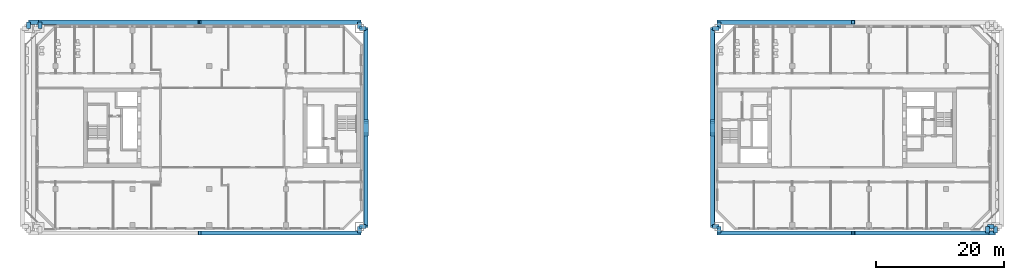
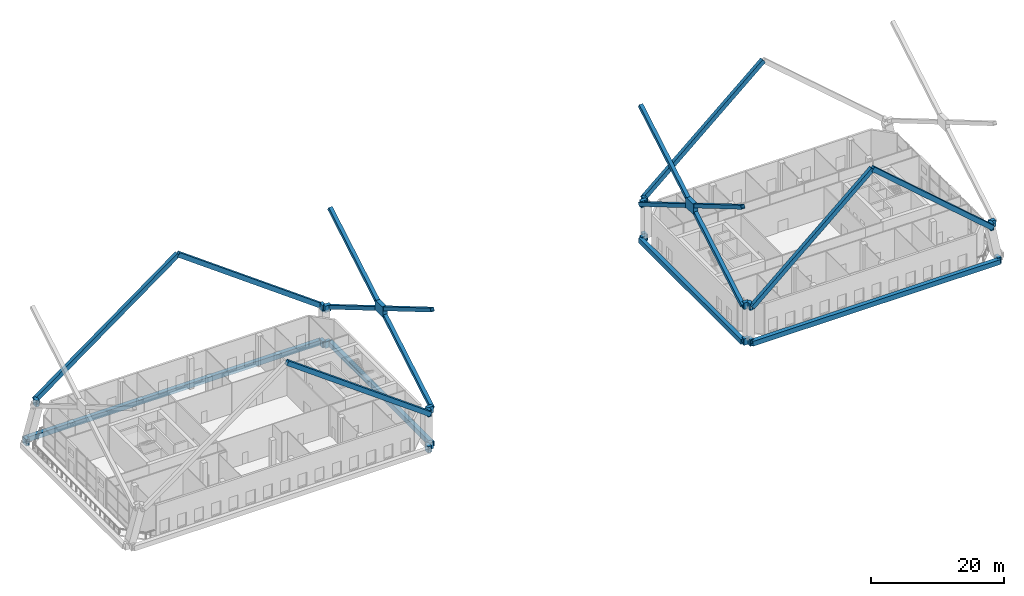
# One storey, part 5 of 20: 25 beams, 16 members.
"""IFC4 building model written with IfcOpenShell, lengths in metres."""

from ifc_helpers import new_model, si_unit, direction, frame, origin, origin_2d, place, context, subcontext, project, spatial, rectangle, hollow_rectangle, extrude, material, material_profile, profile_set, type_object, element, save


model = new_model("IFC4")

# Units and contexts
model_context = context("Model", 3, precision=1e-05, world=origin(), true_north=direction((0.0, 1.0)))
body_context = subcontext(model_context, "Body", "Model", "MODEL_VIEW")
ifc_project = project(units=[si_unit("LENGTHUNIT", "METRE"), si_unit("AREAUNIT", "SQUARE_METRE"), si_unit("VOLUMEUNIT", "CUBIC_METRE"), si_unit("PLANEANGLEUNIT", "RADIAN"), si_unit("MASSUNIT", "GRAM", prefix="KILO")], contexts=[model_context])

# Site, building, storey
site_placement = place(None, origin())
site = spatial("IfcSite", under=ifc_project, at=site_placement, CompositionType="ELEMENT")
building_placement = place(site_placement, origin())
building = spatial("IfcBuilding", under=site, at=building_placement, Name="Tuart Gate Housing", CompositionType="ELEMENT")
storey_placement = place(building_placement, frame((0.0, 0.0, 90.199951171875)))
storey = spatial("IfcBuildingStorey", under=building, at=storey_placement, Name="L25", CompositionType="ELEMENT", Elevation=90.199951171875)

# Members
ifc_material_1 = material(Name="Steel Grade 350", Category="steel")
ifc_material_profile_1 = material_profile(ifc_material_1, rectangle(XDim=2.537109375, YDim=1.864013671875, at=origin_2d()), Name="Brace node plate 2537 x 1864")
ifc_profile_set_1 = profile_set([ifc_material_profile_1], Name="Steel Grade 350")
member_type_1 = type_object("IfcMemberType", Name="Brace node plate 2537 x 1864", PredefinedType="PLATE", material=ifc_profile_set_1)
for number, where, z_axis, x_axis, name in (
    (1, (76.08203125, 70.0, 15.300048828125), (1.0, 0.0, 0.0), (0.0, 1.0, 0.0), "Brace node A zone 4 east"),
    (2, (130.181884765625, 70.0, 15.300048828125), (1.0, 0.0, 0.0), (0.0, 1.0, 0.0), "Brace node B zone 4 west"),
):
    element("IfcMember", number, at=place(storey_placement, frame(where, z_axis=z_axis, x_axis=x_axis)), inside=storey, type_object=member_type_1, Name=name, PredefinedType="PLATE", context=body_context, shape_type="SweptSolid", body=[
        extrude(rectangle(XDim=2.537109375, YDim=1.864013671875, at=origin_2d()), origin(), (0.0, 0.0, 1.0), 0.736083984375),
    ])

# Beams
ifc_material_2 = material(Name="Steel Grade 350", Category="steel")
ifc_material_profile_2 = material_profile(ifc_material_2, hollow_rectangle(XDim=0.60009765625, YDim=1.199951171875, WallThickness=0.0400390625, at=origin_2d()), Name="BOX 1200x600x40")
ifc_profile_set_2 = profile_set([ifc_material_profile_2], Name="Steel Grade 350")
beam_type_1 = type_object("IfcBeamType", Name="Brace shoe BOX 1200x600x40", PredefinedType="BEAM", material=ifc_profile_set_2)
for number, where, z_axis, x_axis, name in (
    (3, (75.449951171875, 54.550048828125, -0.39990234375), (0.0, -1.0, 0.0), (1.0, 0.0, 0.0), "Mega tie beam A node 3 south shoe 1 L25"),
    (4, (23.800048828125, 85.449951171875, -0.39990234375), (0.0, 1.0, 0.0), (-1.0, 0.0, 0.0), "Mega tie beam A node 3 north shoe 0 L25"),
    (5, (75.449951171875, 85.449951171875, -0.39990234375), (0.0, 1.0, 0.0), (-1.0, 0.0, 0.0), "Mega tie beam A node 3 north shoe 1 L25"),
    (6, (75.449951171875, 54.550048828125, -0.39990234375), (1.0, 0.0, 0.0), (0.0, 1.0, 0.0), "Mega tie beam A node 3 east shoe 0 L25"),
    (7, (75.449951171875, 85.449951171875, -0.39990234375), (1.0, 0.0, 0.0), (0.0, 1.0, 0.0), "Mega tie beam A node 3 east shoe 1 L25"),
    (8, (75.449951171875, 54.550048828125, 6.199951171875), (0.0, -1.0, 0.0), (1.0, 0.0, 0.0), "Mega brace shoe A zone 4 south chevron 2"),
    (9, (25.550048828125, 85.449951171875, 6.199951171875), (0.0, 1.0, 0.0), (-1.0, 0.0, 0.0), "Mega brace shoe A zone 4 north chevron 1"),
    (10, (75.449951171875, 85.449951171875, 6.199951171875), (0.0, 1.0, 0.0), (-1.0, 0.0, 0.0), "Mega brace shoe A zone 4 north chevron 2"),
    (11, (75.449951171875, 54.550048828125, 6.199951171875), (1.0, 0.0, 0.0), (0.0, 1.0, 0.0), "Mega brace shoe A zone 4 east cross 1"),
    (12, (75.449951171875, 85.449951171875, 6.199951171875), (1.0, 0.0, 0.0), (0.0, 1.0, 0.0), "Mega brace shoe A zone 4 east cross 2"),
    (13, (131.550048828125, 54.550048828125, -0.39990234375), (0.0, -1.0, 0.0), (1.0, 0.0, 0.0), "Mega tie beam B node 3 south shoe 0 L25"),
    (14, (174.699951171875, 54.550048828125, -0.39990234375), (0.0, -1.0, 0.0), (1.0, 0.0, 0.0), "Mega tie beam B node 3 south shoe 1 L25"),
    (15, (131.550048828125, 85.449951171875, -0.39990234375), (0.0, 1.0, 0.0), (-1.0, 0.0, 0.0), "Mega tie beam B node 3 north shoe 0 L25"),
    (16, (131.550048828125, 54.550048828125, -0.39990234375), (-1.0, 0.0, 0.0), (0.0, -1.0, 0.0), "Mega tie beam B node 3 west shoe 0 L25"),
    (17, (131.550048828125, 85.449951171875, -0.39990234375), (-1.0, 0.0, 0.0), (0.0, -1.0, 0.0), "Mega tie beam B node 3 west shoe 1 L25"),
    (18, (131.550048828125, 54.550048828125, 6.199951171875), (0.0, -1.0, 0.0), (1.0, 0.0, 0.0), "Mega brace shoe B zone 4 south chevron 1"),
    (19, (173.449951171875, 54.550048828125, 6.199951171875), (0.0, -1.0, 0.0), (1.0, 0.0, 0.0), "Mega brace shoe B zone 4 south chevron 2"),
    (20, (131.550048828125, 85.449951171875, 6.199951171875), (0.0, 1.0, 0.0), (-1.0, 0.0, 0.0), "Mega brace shoe B zone 4 north chevron 1"),
    (21, (173.449951171875, 54.550048828125, 6.199951171875), (1.0, 0.0, 0.0), (0.0, 1.0, 0.0), "Mega brace shoe B zone 4 east cross 1"),
    (22, (131.550048828125, 54.550048828125, 6.199951171875), (-1.0, 0.0, 0.0), (0.0, -1.0, 0.0), "Mega brace shoe B zone 4 west cross 1"),
    (23, (131.550048828125, 85.449951171875, 6.199951171875), (-1.0, 0.0, 0.0), (0.0, -1.0, 0.0), "Mega brace shoe B zone 4 west cross 2"),
):
    element("IfcBeam", number, at=place(storey_placement, frame(where, z_axis=z_axis, x_axis=x_axis)), inside=storey, type_object=beam_type_1, Name=name, PredefinedType="BEAM", context=body_context, shape_type="SweptSolid", body=[
        extrude(hollow_rectangle(XDim=0.60009765625, YDim=1.199951171875, WallThickness=0.0400390625, at=origin_2d()), origin(), (0.0, 0.0, 1.0), 1.0),
    ])

# Members
ifc_material_3 = material(Name="Steel Grade 350", Category="steel")
ifc_material_profile_3 = material_profile(ifc_material_3, hollow_rectangle(XDim=0.639892578125, YDim=0.639892578125, WallThickness=0.031982421875, at=origin_2d()), Name="BOX 640x640x32")
ifc_profile_set_3 = profile_set([ifc_material_profile_3], Name="Steel Grade 350")
member_type_2 = type_object("IfcMemberType", Name="Mega brace BOX 640x640x32", PredefinedType="BRACE", material=ifc_profile_set_3)
for number, where, z_axis, x_axis, name in (
    (24, (76.449951171875, 54.550048828125, 6.199951171875), (0.0, 0.861644676374, 0.507512021214), (-1.0, 0.0, 0.0), "Mega brace A zone 4 east cross 1 a"),
    (25, (76.449951171875, 70.818603515625, 15.7822265625), (0.0, 0.861644676374, 0.507512021214), (-1.0, 0.0, 0.0), "Mega brace A zone 4 east cross 1 b"),
    (26, (76.449951171875, 85.449951171875, 6.199951171875), (0.0, -0.861644676374, 0.507512021214), (1.0, 0.0, 0.0), "Mega brace A zone 4 east cross 2 a"),
    (27, (76.449951171875, 69.181396484375, 15.7822265625), (0.0, -0.861644676374, 0.507512021214), (1.0, 0.0, 0.0), "Mega brace A zone 4 east cross 2 b"),
    (28, (130.550048828125, 54.550048828125, 6.199951171875), (0.0, 0.861644676374, 0.507512021214), (-1.0, 0.0, 0.0), "Mega brace B zone 4 west cross 1 a"),
    (29, (130.550048828125, 70.818603515625, 15.7822265625), (0.0, 0.861644676374, 0.507512021214), (-1.0, 0.0, 0.0), "Mega brace B zone 4 west cross 1 b"),
    (30, (130.550048828125, 85.449951171875, 6.199951171875), (0.0, -0.861644676374, 0.507512021214), (1.0, 0.0, 0.0), "Mega brace B zone 4 west cross 2 a"),
    (31, (130.550048828125, 69.181396484375, 15.7822265625), (0.0, -0.861644676374, 0.507512021214), (1.0, 0.0, 0.0), "Mega brace B zone 4 west cross 2 b"),
):
    element("IfcMember", number, at=place(storey_placement, frame(where, z_axis=z_axis, x_axis=x_axis)), inside=storey, type_object=member_type_2, Name=name, PredefinedType="BRACE", context=body_context, shape_type="SweptSolid", body=[
        extrude(hollow_rectangle(XDim=0.639892578125, YDim=0.639892578125, WallThickness=0.031982421875, at=origin_2d()), origin(), (0.0, 0.0, 1.0), 16.980712890625),
    ])
ifc_material_4 = material(Name="Steel Grade 350", Category="steel")
ifc_material_profile_4 = material_profile(ifc_material_4, hollow_rectangle(XDim=0.639892578125, YDim=0.800048828125, WallThickness=0.0400390625, at=origin_2d()), Name="BOX 800x640x40")
ifc_profile_set_4 = profile_set([ifc_material_profile_4], Name="Steel Grade 350")
member_type_3 = type_object("IfcMemberType", Name="Mega brace BOX 800x640x40", PredefinedType="BRACE", material=ifc_profile_set_4)
for number, where, z_axis, x_axis, name in (
    (32, (75.449951171875, 53.550048828125, 6.199951171875), (-0.807891554627, 0.0, 0.589331176812), (0.0, -1.0, 0.0), "Mega brace A zone 4 south chevron 2"),
    (33, (25.550048828125, 86.449951171875, 6.199951171875), (0.807891554627, 0.0, 0.589331176812), (0.0, 1.0, 0.0), "Mega brace A zone 4 north chevron 1"),
    (34, (75.449951171875, 86.449951171875, 6.199951171875), (-0.807891554627, 0.0, 0.589331176812), (0.0, -1.0, 0.0), "Mega brace A zone 4 north chevron 2"),
):
    element("IfcMember", number, at=place(storey_placement, frame(where, z_axis=z_axis, x_axis=x_axis)), inside=storey, type_object=member_type_3, Name=name, PredefinedType="BRACE", context=body_context, shape_type="SweptSolid", body=[
        extrude(hollow_rectangle(XDim=0.639892578125, YDim=0.800048828125, WallThickness=0.0400390625, at=origin_2d()), origin(), (0.0, 0.0, 1.0), 30.8828125),
    ])
for number, where, z_axis, x_axis, name in (
    (35, (131.550048828125, 53.550048828125, 6.199951171875), (0.754911501589, 0.0, 0.65582667281), (0.0, 1.0, 0.0), "Mega brace B zone 4 south chevron 1"),
    (36, (173.449951171875, 53.550048828125, 6.199951171875), (-0.754911501589, 0.0, 0.65582667281), (0.0, -1.0, 0.0), "Mega brace B zone 4 south chevron 2"),
    (37, (131.550048828125, 86.449951171875, 6.199951171875), (0.754911501589, 0.0, 0.65582667281), (0.0, 1.0, 0.0), "Mega brace B zone 4 north chevron 1"),
):
    element("IfcMember", number, at=place(storey_placement, frame(where, z_axis=z_axis, x_axis=x_axis)), inside=storey, type_object=member_type_3, Name=name, PredefinedType="BRACE", context=body_context, shape_type="SweptSolid", body=[
        extrude(hollow_rectangle(XDim=0.639892578125, YDim=0.800048828125, WallThickness=0.0400390625, at=origin_2d()), origin(), (0.0, 0.0, 1.0), 27.75146484375),
    ])

# Beams
ifc_material_5 = material(Name="Steel Grade 350", Category="steel")
ifc_material_profile_5 = material_profile(ifc_material_5, hollow_rectangle(XDim=0.699951171875, YDim=0.89990234375, WallThickness=0.0400390625, at=origin_2d()), Name="BOX 900x700x40")
ifc_profile_set_5 = profile_set([ifc_material_profile_5], Name="Steel Grade 350")
beam_type_2 = type_object("IfcBeamType", Name="Tie beam BOX 900x700x40", PredefinedType="BEAM", material=ifc_profile_set_5)
for number, where, z_axis, x_axis, name in (
    (38, (76.449951171875, 54.550048828125, -0.39990234375), (0.0, 1.0, 0.0), (-1.0, 0.0, 0.0), "Mega tie beam A node 3 east L25"),
    (39, (130.550048828125, 54.550048828125, -0.39990234375), (0.0, 1.0, 0.0), (-1.0, 0.0, 0.0), "Mega tie beam B node 3 west L25"),
):
    element("IfcBeam", number, at=place(storey_placement, frame(where, z_axis=z_axis, x_axis=x_axis)), inside=storey, type_object=beam_type_2, Name=name, PredefinedType="BEAM", context=body_context, shape_type="SweptSolid", body=[
        extrude(hollow_rectangle(XDim=0.699951171875, YDim=0.89990234375, WallThickness=0.0400390625, at=origin_2d()), origin(), (0.0, 0.0, 1.0), 30.89990234375),
    ])
ifc_material_6 = material(Name="Steel Grade 350", Category="steel")
ifc_material_profile_6 = material_profile(ifc_material_6, hollow_rectangle(XDim=0.699951171875, YDim=0.89990234375, WallThickness=0.0400390625, at=origin_2d()), Name="BOX 900x700x40")
ifc_profile_set_6 = profile_set([ifc_material_profile_6], Name="Steel Grade 350")
beam_type_3 = type_object("IfcBeamType", Name="Tie beam BOX 900x700x40 (40.6-51.7 m)", PredefinedType="BEAM", material=ifc_profile_set_6)
beam_1_placement = place(storey_placement, frame((23.800048828125, 86.449951171875, -0.39990234375), z_axis=(1.0, 0.0, 0.0), x_axis=(0.0, 1.0, 0.0)))
element("IfcBeam", 40, at=beam_1_placement, inside=storey, type_object=beam_type_3, Name="Mega tie beam A node 3 north L25", PredefinedType="BEAM", context=body_context, shape_type="SweptSolid", body=[
    extrude(hollow_rectangle(XDim=0.699951171875, YDim=0.89990234375, WallThickness=0.0400390625, at=origin_2d()), origin(), (0.0, 0.0, 1.0), 51.64990234375),
])
beam_2_placement = place(storey_placement, frame((131.550048828125, 53.550048828125, -0.39990234375), z_axis=(1.0, 0.0, 0.0), x_axis=(0.0, 1.0, 0.0)))
element("IfcBeam", 41, at=beam_2_placement, inside=storey, type_object=beam_type_3, Name="Mega tie beam B node 3 south L25", PredefinedType="BEAM", context=body_context, shape_type="SweptSolid", body=[
    extrude(hollow_rectangle(XDim=0.699951171875, YDim=0.89990234375, WallThickness=0.0400390625, at=origin_2d()), origin(), (0.0, 0.0, 1.0), 43.14990234375),
])

save(model, "model.ifc")
